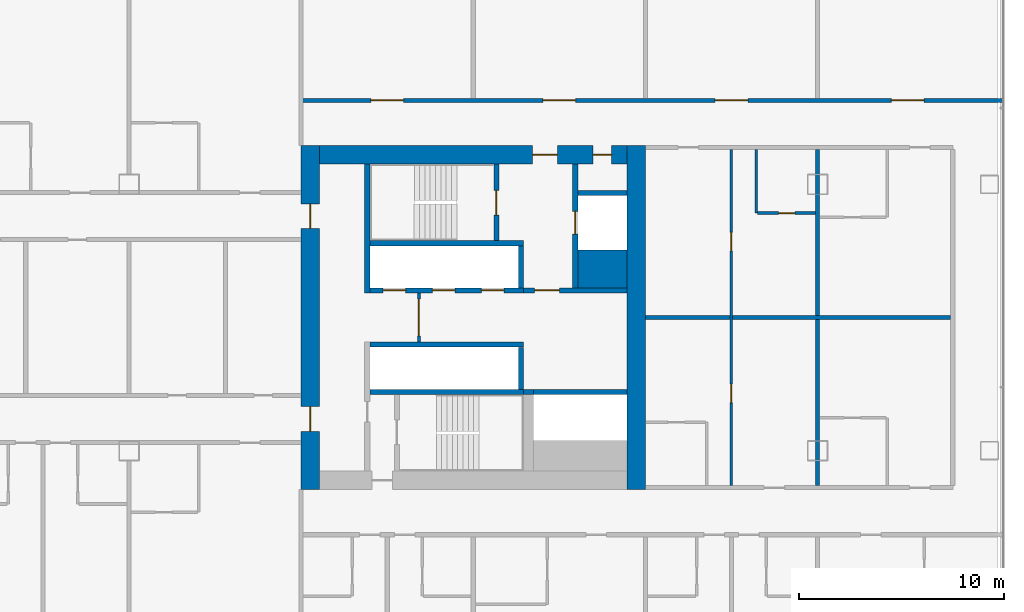
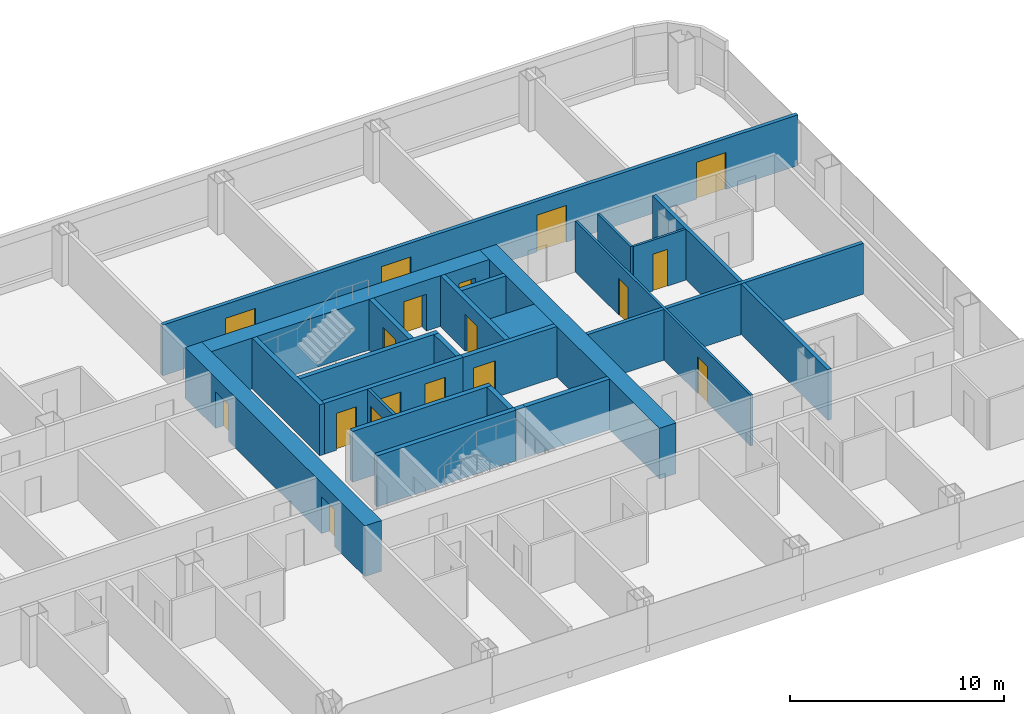
# One storey, part 19 of 29: 24 walls, 18 doors, 18 openings.
"""IFC4 building model written with IfcOpenShell, lengths in metres."""

from ifc_helpers import new_model, si_unit, direction, frame, frame_2d, origin, place, context, subcontext, project, spatial, rectangle, extrude, material, layer, layer_set, type_object, element, fill, save


model = new_model("IFC4")

# Units and contexts
model_context = context("Model", 3, precision=1e-05, world=origin(), true_north=direction((0.0, 1.0)))
body_context = subcontext(model_context, "Body", "Model", "MODEL_VIEW")
ifc_project = project(units=[si_unit("LENGTHUNIT", "METRE"), si_unit("AREAUNIT", "SQUARE_METRE"), si_unit("VOLUMEUNIT", "CUBIC_METRE"), si_unit("PLANEANGLEUNIT", "RADIAN"), si_unit("MASSUNIT", "GRAM", prefix="KILO")], contexts=[model_context])

# Site, building, storey
site_placement = place(None, origin())
site = spatial("IfcSite", under=ifc_project, at=site_placement, CompositionType="ELEMENT")
building_placement = place(site_placement, origin())
building = spatial("IfcBuilding", under=site, at=building_placement, Name="Hakoniwa Tower and Hamabe Station Hall", CompositionType="ELEMENT")
storey_placement = place(building_placement, frame((0.0, 0.0, 61.39990234375)))
storey = spatial("IfcBuildingStorey", under=building, at=storey_placement, Name="L17", CompositionType="ELEMENT", Elevation=61.39990234375)

# Wall, opening, door
ifc_material_1 = material(Name="Gypsum board partition", Category="gypsum")
ifc_layer_1 = layer(ifc_material_1, 0.125)
ifc_layer_set_1 = layer_set([ifc_layer_1], Name="Bathroom Partition 125")
wall_type_1 = type_object("IfcWallType", Name="Bathroom Partition 125", PredefinedType="PARTITIONING", material=ifc_layer_set_1)
wall_1_placement = place(storey_placement, frame((39.0625, 5.10009765625, 0.0), z_axis=(0.0, 0.0, 1.0), x_axis=(1.0, 0.0, 0.0)))
wall_1 = element("IfcWall", 1, at=wall_1_placement, inside=storey, type_object=wall_type_1, Name="GW-L17-034", PredefinedType="PARTITIONING", context=body_context, shape_type="SweptSolid", body=[
    extrude(rectangle(XDim=2.83740234375, YDim=0.125, at=frame_2d((1.418701171875, 0.0))), origin(), (0.0, 0.0, 1.0), 2.900146484375),
])
opening_1_placement = place(wall_1_placement, frame((1.03759765625, 0.0, 0.0)))
opening_1 = element("IfcOpeningElement", 2, at=opening_1_placement, cuts=wall_1, Name="Opening GD-G1D2-41", PredefinedType="OPENING", context=body_context, shape_type="SweptSolid", body=[
    extrude(rectangle(XDim=0.800048828125, YDim=2.10009765625, at=frame_2d((0.39990234375, 1.050048828125))), frame((0.0, 0.072509765625, 0.0), z_axis=(0.0, -1.0, 0.0), x_axis=(1.0, 0.0, 0.0)), (0.0, 0.0, 1.0), 0.14501953125),
])
ifc_material_2 = material(Name="Timber door leaf", Category="wood")
door_type_1 = type_object("IfcDoorType", Name="Bathroom Door 800", OperationType="SINGLE_SWING_LEFT", PredefinedType="DOOR", material=ifc_material_2)
door_1_placement = place(opening_1_placement, origin())
door_1 = element("IfcDoor", 3, at=door_1_placement, inside=storey, type_object=door_type_1, Name="Door GD-G1D2-41", OperationType="SINGLE_SWING_LEFT", OverallHeight=2.10009765625, OverallWidth=0.800048828125, PredefinedType="DOOR", context=body_context, shape_type="SweptSolid", body=[
    extrude(rectangle(XDim=0.800048828125, YDim=2.10009765625, at=frame_2d((0.39990234375, 1.050048828125))), frame((0.0, 0.02490234375, 0.0), z_axis=(0.0, -1.0, 0.0), x_axis=(1.0, 0.0, 0.0)), (0.0, 0.0, 1.0), 0.050048828125),
])
fill(opening_1, door_1)

# Wall
wall_2_placement = place(storey_placement, frame((39.0, 5.10009765625, 0.0), z_axis=(0.0, 0.0, 1.0), x_axis=(0.0, 1.0, 0.0)))
element("IfcWall", 4, at=wall_2_placement, inside=storey, type_object=wall_type_1, Name="GW-L17-110", PredefinedType="PARTITIONING", context=body_context, shape_type="SweptSolid", body=[
    extrude(rectangle(XDim=3.099853515625, YDim=0.125, at=frame_2d((1.5498046875, 0.0))), origin(), (0.0, 0.0, 1.0), 2.900146484375),
])

# Wall, opening, door
ifc_material_3 = material(Name="Gypsum board partition")
ifc_layer_2 = layer(ifc_material_3, 0.14990234375)
ifc_layer_set_2 = layer_set([ifc_layer_2], Name="CORE PARTITION 150 EI 60")
wall_type_2 = type_object("IfcWallType", Name="CORE PARTITION 150 EI 60", PredefinedType="PARTITIONING", material=ifc_layer_set_2)
wall_3_placement = place(storey_placement, frame((22.550048828125, -1.199951171875, 0.0), z_axis=(0.0, 0.0, 1.0), x_axis=(0.0, 1.0, 0.0)))
wall_3 = element("IfcWall", 5, at=wall_3_placement, inside=storey, type_object=wall_type_2, Name="Core partition PL0 east", PredefinedType="PARTITIONING", context=body_context, shape_type="SweptSolid", body=[
    extrude(rectangle(XDim=2.39990234375, YDim=0.14990234375, at=frame_2d((1.199951171875, 0.0))), origin(), (0.0, 0.0, 1.0), 2.900146484375),
])
opening_2_placement = place(wall_3_placement, frame((0.300048828125, 0.0, 0.0)))
opening_2 = element("IfcOpeningElement", 6, at=opening_2_placement, cuts=wall_3, Name="Opening CD-E-LP0-18", PredefinedType="OPENING", context=body_context, shape_type="SweptSolid", body=[
    extrude(rectangle(XDim=1.800048828125, YDim=2.10009765625, at=frame_2d((0.89990234375, 1.050048828125))), frame((0.0, 0.0849609375, 0.0), z_axis=(0.0, -1.0, 0.0), x_axis=(1.0, 0.0, 0.0)), (0.0, 0.0, 1.0), 0.169921875),
])
ifc_material_4 = material(Name="Steel fire door", Category="steel")
door_type_2 = type_object("IfcDoorType", Name="CORE DOOR 1800 FD60", OperationType="DOUBLE_DOOR_SINGLE_SWING", PredefinedType="DOOR", material=ifc_material_4)
door_2_placement = place(opening_2_placement, origin())
door_2 = element("IfcDoor", 7, at=door_2_placement, inside=storey, type_object=door_type_2, Name="Lift lobby partition door", OperationType="DOUBLE_DOOR_SINGLE_SWING", OverallHeight=2.10009765625, OverallWidth=1.800048828125, PredefinedType="DOOR", context=body_context, shape_type="SweptSolid", body=[
    extrude(rectangle(XDim=1.800048828125, YDim=2.10009765625, at=frame_2d((0.89990234375, 1.050048828125))), frame((0.0, 0.02490234375, 0.0), z_axis=(0.0, -1.0, 0.0), x_axis=(1.0, 0.0, 0.0)), (0.0, 0.0, 1.0), 0.050048828125),
])
fill(opening_2, door_2)

# Wall, openings, doors
ifc_material_5 = material(Name="Concrete C80", Category="concrete")
ifc_layer_3 = layer(ifc_material_5, 0.89990234375)
ifc_layer_set_3 = layer_set([ifc_layer_3], Name="CORE WALL 900 C80")
wall_type_3 = type_object("IfcWallType", Name="CORE WALL 900 C80", PredefinedType="SHEAR", material=ifc_layer_set_3)
wall_4_placement = place(storey_placement, frame((17.25, -8.39990234375, 0.0), z_axis=(0.0, 0.0, 1.0), x_axis=(0.0, 1.0, 0.0)))
wall_4 = element("IfcWall", 8, at=wall_4_placement, inside=storey, type_object=wall_type_3, Name="Core wall INNER east", PredefinedType="SHEAR", context=body_context, shape_type="SweptSolid", body=[
    extrude(rectangle(XDim=16.7998046875, YDim=0.89990234375, at=frame_2d((8.39990234375, 0.0))), origin(), (0.0, 0.0, 1.0), 2.900146484375),
])
opening_3_placement = place(wall_4_placement, frame((12.75, 0.0, 0.0)))
opening_3 = element("IfcOpeningElement", 9, at=opening_3_placement, cuts=wall_4, Name="Opening CD-E-IN1-12", PredefinedType="OPENING", context=body_context, shape_type="SweptSolid", body=[
    extrude(rectangle(XDim=1.199951171875, YDim=2.10009765625, at=frame_2d((0.60009765625, 1.050048828125))), frame((0.0, 0.4599609375, 0.0), z_axis=(0.0, -1.0, 0.0), x_axis=(1.0, 0.0, 0.0)), (0.0, 0.0, 1.0), 0.919921875),
])
opening_4_placement = place(wall_4_placement, frame((2.85009765625, 0.0, 0.0)))
opening_4 = element("IfcOpeningElement", 10, at=opening_4_placement, cuts=wall_4, Name="Opening CD-E-IN2-12", PredefinedType="OPENING", context=body_context, shape_type="SweptSolid", body=[
    extrude(rectangle(XDim=1.199951171875, YDim=2.10009765625, at=frame_2d((0.60009765625, 1.050048828125))), frame((0.0, 0.4599609375, 0.0), z_axis=(0.0, -1.0, 0.0), x_axis=(1.0, 0.0, 0.0)), (0.0, 0.0, 1.0), 0.919921875),
])
ifc_material_6 = material(Name="Steel fire door", Category="steel")
door_type_3 = type_object("IfcDoorType", Name="CORE DOOR 1200 FD60", OperationType="DOUBLE_DOOR_SINGLE_SWING", PredefinedType="DOOR", material=ifc_material_6)
door_3_placement = place(opening_3_placement, origin())
door_3 = element("IfcDoor", 11, at=door_3_placement, inside=storey, type_object=door_type_3, Name="Lift lobby door", OperationType="DOUBLE_DOOR_SINGLE_SWING", OverallHeight=2.10009765625, OverallWidth=1.199951171875, PredefinedType="DOOR", context=body_context, shape_type="SweptSolid", body=[
    extrude(rectangle(XDim=1.199951171875, YDim=2.10009765625, at=frame_2d((0.60009765625, 1.050048828125))), frame((0.0, 0.02490234375, 0.0), z_axis=(0.0, -1.0, 0.0), x_axis=(1.0, 0.0, 0.0)), (0.0, 0.0, 1.0), 0.050048828125),
])
fill(opening_3, door_3)
door_4_placement = place(opening_4_placement, origin())
door_4 = element("IfcDoor", 12, at=door_4_placement, inside=storey, type_object=door_type_3, Name="Lift lobby door", OperationType="DOUBLE_DOOR_SINGLE_SWING", OverallHeight=2.10009765625, OverallWidth=1.199951171875, PredefinedType="DOOR", context=body_context, shape_type="SweptSolid", body=[
    extrude(rectangle(XDim=1.199951171875, YDim=2.10009765625, at=frame_2d((0.60009765625, 1.050048828125))), frame((0.0, 0.02490234375, 0.0), z_axis=(0.0, -1.0, 0.0), x_axis=(1.0, 0.0, 0.0)), (0.0, 0.0, 1.0), 0.050048828125),
])
fill(opening_4, door_4)

# Wall
wall_5_placement = place(storey_placement, frame((33.14990234375, -8.39990234375, 0.0), z_axis=(0.0, 0.0, 1.0), x_axis=(0.0, 1.0, 0.0)))
element("IfcWall", 13, at=wall_5_placement, inside=storey, type_object=wall_type_3, Name="Core wall OUTER east", PredefinedType="SHEAR", context=body_context, shape_type="SweptSolid", body=[
    extrude(rectangle(XDim=16.7998046875, YDim=0.89990234375, at=frame_2d((8.39990234375, 0.0))), origin(), (0.0, 0.0, 1.0), 2.900146484375),
])

# Wall, openings, doors
wall_6_placement = place(storey_placement, frame((17.699951171875, 7.949951171875, 0.0), z_axis=(0.0, 0.0, 1.0), x_axis=(1.0, 0.0, 0.0)))
wall_6 = element("IfcWall", 14, at=wall_6_placement, inside=storey, type_object=wall_type_3, Name="Core wall NORTH east", PredefinedType="SHEAR", context=body_context, shape_type="SweptSolid", body=[
    extrude(rectangle(XDim=15.0, YDim=0.89990234375, at=frame_2d((7.5, 0.0))), origin(), (0.0, 0.0, 1.0), 2.900146484375),
])
opening_5_placement = place(wall_6_placement, frame((10.39990234375, 0.0, 0.0)))
opening_5 = element("IfcOpeningElement", 15, at=opening_5_placement, cuts=wall_6, Name="Opening CD-E-FN1-12", PredefinedType="OPENING", context=body_context, shape_type="SweptSolid", body=[
    extrude(rectangle(XDim=1.199951171875, YDim=2.10009765625, at=frame_2d((0.60009765625, 1.050048828125))), frame((0.0, 0.4599609375, 0.0), z_axis=(0.0, -1.0, 0.0), x_axis=(1.0, 0.0, 0.0)), (0.0, 0.0, 1.0), 0.919921875),
])
opening_6_placement = place(wall_6_placement, frame((13.35009765625, 0.0, 0.0)))
opening_6 = element("IfcOpeningElement", 16, at=opening_6_placement, cuts=wall_6, Name="Opening CD-E-FN2-9", PredefinedType="OPENING", context=body_context, shape_type="SweptSolid", body=[
    extrude(rectangle(XDim=0.89990234375, YDim=2.10009765625, at=frame_2d((0.449951171875, 1.050048828125))), frame((0.0, 0.4599609375, 0.0), z_axis=(0.0, -1.0, 0.0), x_axis=(1.0, 0.0, 0.0)), (0.0, 0.0, 1.0), 0.919921875),
])
door_5_placement = place(opening_5_placement, origin())
door_5 = element("IfcDoor", 17, at=door_5_placement, inside=storey, type_object=door_type_3, Name="Stair vestibule door to the fire-fighting lobby", OperationType="DOUBLE_DOOR_SINGLE_SWING", OverallHeight=2.10009765625, OverallWidth=1.199951171875, PredefinedType="DOOR", context=body_context, shape_type="SweptSolid", body=[
    extrude(rectangle(XDim=1.199951171875, YDim=2.10009765625, at=frame_2d((0.60009765625, 1.050048828125))), frame((0.0, 0.02490234375, 0.0), z_axis=(0.0, -1.0, 0.0), x_axis=(1.0, 0.0, 0.0)), (0.0, 0.0, 1.0), 0.050048828125),
])
fill(opening_5, door_5)
ifc_material_7 = material(Name="Steel fire door", Category="steel")
door_type_4 = type_object("IfcDoorType", Name="CORE DOOR 900 FD30", OperationType="NOTDEFINED", PredefinedType="DOOR", material=ifc_material_7)
door_6_placement = place(opening_6_placement, origin())
door_6 = element("IfcDoor", 18, at=door_6_placement, inside=storey, type_object=door_type_4, Name="Riser access door", OperationType="SINGLE_SWING_RIGHT", OverallHeight=2.10009765625, OverallWidth=0.89990234375, PredefinedType="DOOR", context=body_context, shape_type="SweptSolid", body=[
    extrude(rectangle(XDim=0.89990234375, YDim=2.10009765625, at=frame_2d((0.449951171875, 1.050048828125))), frame((0.0, 0.02490234375, 0.0), z_axis=(0.0, -1.0, 0.0), x_axis=(1.0, 0.0, 0.0)), (0.0, 0.0, 1.0), 0.050048828125),
])
fill(opening_6, door_6)

# Walls
ifc_material_8 = material(Name="Concrete C80", Category="concrete")
ifc_layer_4 = layer(ifc_material_8, 1.85009765625)
ifc_layer_set_4 = layer_set([ifc_layer_4], Name="CORE WEB WALL 1850 C80")
wall_type_4 = type_object("IfcWallType", Name="CORE WEB WALL 1850 C80", PredefinedType="SHEAR", material=ifc_layer_set_4)
wall_7_placement = place(storey_placement, frame((30.300048828125, 2.375, 0.0), z_axis=(0.0, 0.0, 1.0), x_axis=(1.0, 0.0, 0.0)))
element("IfcWall", 19, at=wall_7_placement, inside=storey, type_object=wall_type_4, Name="Core wall CA east", PredefinedType="SHEAR", context=body_context, shape_type="SweptSolid", body=[
    extrude(rectangle(XDim=2.39990234375, YDim=1.85009765625, at=frame_2d((1.199951171875, 0.0))), origin(), (0.0, 0.0, 1.0), 2.900146484375),
])
ifc_material_9 = material(Name="Concrete C80", Category="concrete")
ifc_layer_5 = layer(ifc_material_9, 0.25)
ifc_layer_set_5 = layer_set([ifc_layer_5], Name="CORE WEB WALL 250 C80")
wall_type_5 = type_object("IfcWallType", Name="CORE WEB WALL 250 C80", PredefinedType="SHEAR", material=ifc_layer_set_5)
wall_8_placement = place(storey_placement, frame((20.02490234375, 1.199951171875, 0.0), z_axis=(0.0, 0.0, 1.0), x_axis=(0.0, 1.0, 0.0)))
element("IfcWall", 20, at=wall_8_placement, inside=storey, type_object=wall_type_5, Name="Core wall W1N east", PredefinedType="SHEAR", context=body_context, shape_type="SweptSolid", body=[
    extrude(rectangle(XDim=6.300048828125, YDim=0.25, at=frame_2d((3.14990234375, 0.0))), origin(), (0.0, 0.0, 1.0), 2.900146484375),
])

# Wall, openings, doors
wall_9_placement = place(storey_placement, frame((20.14990234375, 1.324951171875, 0.0), z_axis=(0.0, 0.0, 1.0), x_axis=(1.0, 0.0, 0.0)))
wall_9 = element("IfcWall", 21, at=wall_9_placement, inside=storey, type_object=wall_type_5, Name="Core wall NF east", PredefinedType="SHEAR", context=body_context, shape_type="SweptSolid", body=[
    extrude(rectangle(XDim=7.5, YDim=0.25, at=frame_2d((3.75, 0.0))), origin(), (0.0, 0.0, 1.0), 2.900146484375),
])
opening_7_placement = place(wall_9_placement, frame((0.64990234375, 0.0, 0.0)))
opening_7 = element("IfcOpeningElement", 22, at=opening_7_placement, cuts=wall_9, Name="Opening LD-LR4", PredefinedType="OPENING", context=body_context, shape_type="SweptSolid", body=[
    extrude(rectangle(XDim=1.10009765625, YDim=2.10009765625, at=frame_2d((0.550048828125, 1.050048828125))), frame((0.0, 0.135009765625, 0.0), z_axis=(0.0, -1.0, 0.0), x_axis=(1.0, 0.0, 0.0)), (0.0, 0.0, 1.0), 0.27001953125),
])
opening_8_placement = place(wall_9_placement, frame((3.050048828125, 0.0, 0.0)))
opening_8 = element("IfcOpeningElement", 23, at=opening_8_placement, cuts=wall_9, Name="Opening LD-LR5", PredefinedType="OPENING", context=body_context, shape_type="SweptSolid", body=[
    extrude(rectangle(XDim=1.10009765625, YDim=2.10009765625, at=frame_2d((0.550048828125, 1.050048828125))), frame((0.0, 0.135009765625, 0.0), z_axis=(0.0, -1.0, 0.0), x_axis=(1.0, 0.0, 0.0)), (0.0, 0.0, 1.0), 0.27001953125),
])
opening_9_placement = place(wall_9_placement, frame((5.449951171875, 0.0, 0.0)))
opening_9 = element("IfcOpeningElement", 24, at=opening_9_placement, cuts=wall_9, Name="Opening LD-LR6", PredefinedType="OPENING", context=body_context, shape_type="SweptSolid", body=[
    extrude(rectangle(XDim=1.10009765625, YDim=2.10009765625, at=frame_2d((0.550048828125, 1.050048828125))), frame((0.0, 0.135009765625, 0.0), z_axis=(0.0, -1.0, 0.0), x_axis=(1.0, 0.0, 0.0)), (0.0, 0.0, 1.0), 0.27001953125),
])
ifc_material_10 = material(Name="Stainless steel SUS304", Category="steel")
door_type_5 = type_object("IfcDoorType", Name="LIFT LANDING DOOR 1100 FD60", OperationType="DOUBLE_DOOR_SLIDING", PredefinedType="DOOR", material=ifc_material_10)
door_7_placement = place(opening_7_placement, origin())
door_7 = element("IfcDoor", 25, at=door_7_placement, inside=storey, type_object=door_type_5, Name="Lift landing door LR4 L17", OperationType="DOUBLE_DOOR_SLIDING", OverallHeight=2.10009765625, OverallWidth=1.10009765625, PredefinedType="DOOR", context=body_context, shape_type="SweptSolid", body=[
    extrude(rectangle(XDim=1.10009765625, YDim=2.10009765625, at=frame_2d((0.550048828125, 1.050048828125))), frame((0.0, 0.02490234375, 0.0), z_axis=(0.0, -1.0, 0.0), x_axis=(1.0, 0.0, 0.0)), (0.0, 0.0, 1.0), 0.050048828125),
])
fill(opening_7, door_7)
door_8_placement = place(opening_8_placement, origin())
door_8 = element("IfcDoor", 26, at=door_8_placement, inside=storey, type_object=door_type_5, Name="Lift landing door LR5 L17", OperationType="DOUBLE_DOOR_SLIDING", OverallHeight=2.10009765625, OverallWidth=1.10009765625, PredefinedType="DOOR", context=body_context, shape_type="SweptSolid", body=[
    extrude(rectangle(XDim=1.10009765625, YDim=2.10009765625, at=frame_2d((0.550048828125, 1.050048828125))), frame((0.0, 0.02490234375, 0.0), z_axis=(0.0, -1.0, 0.0), x_axis=(1.0, 0.0, 0.0)), (0.0, 0.0, 1.0), 0.050048828125),
])
fill(opening_8, door_8)
door_9_placement = place(opening_9_placement, origin())
door_9 = element("IfcDoor", 27, at=door_9_placement, inside=storey, type_object=door_type_5, Name="Lift landing door LR6 L17", OperationType="DOUBLE_DOOR_SLIDING", OverallHeight=2.10009765625, OverallWidth=1.10009765625, PredefinedType="DOOR", context=body_context, shape_type="SweptSolid", body=[
    extrude(rectangle(XDim=1.10009765625, YDim=2.10009765625, at=frame_2d((0.550048828125, 1.050048828125))), frame((0.0, 0.02490234375, 0.0), z_axis=(0.0, -1.0, 0.0), x_axis=(1.0, 0.0, 0.0)), (0.0, 0.0, 1.0), 0.050048828125),
])
fill(opening_9, door_9)

# Walls
wall_10_placement = place(storey_placement, frame((27.52490234375, 1.449951171875, 0.0), z_axis=(0.0, 0.0, 1.0), x_axis=(0.0, 1.0, 0.0)))
element("IfcWall", 28, at=wall_10_placement, inside=storey, type_object=wall_type_5, Name="Core wall NE east", PredefinedType="SHEAR", context=body_context, shape_type="SweptSolid", body=[
    extrude(rectangle(XDim=2.050048828125, YDim=0.25, at=frame_2d((1.02490234375, 0.0))), origin(), (0.0, 0.0, 1.0), 2.900146484375),
])
wall_11_placement = place(storey_placement, frame((20.14990234375, 3.625, 0.0), z_axis=(0.0, 0.0, 1.0), x_axis=(1.0, 0.0, 0.0)))
element("IfcWall", 29, at=wall_11_placement, inside=storey, type_object=wall_type_5, Name="Core wall NR east", PredefinedType="SHEAR", context=body_context, shape_type="SweptSolid", body=[
    extrude(rectangle(XDim=7.5, YDim=0.25, at=frame_2d((3.75, 0.0))), origin(), (0.0, 0.0, 1.0), 2.900146484375),
])

# Wall, opening, door
wall_12_placement = place(storey_placement, frame((26.324951171875, 3.75, 0.0), z_axis=(0.0, 0.0, 1.0), x_axis=(0.0, 1.0, 0.0)))
wall_12 = element("IfcWall", 30, at=wall_12_placement, inside=storey, type_object=wall_type_5, Name="Core wall NSE east", PredefinedType="SHEAR", context=body_context, shape_type="SweptSolid", body=[
    extrude(rectangle(XDim=3.75, YDim=0.25, at=frame_2d((1.875, 0.0))), origin(), (0.0, 0.0, 1.0), 2.900146484375),
])
opening_10_placement = place(wall_12_placement, frame((1.25, 0.0, 0.0)))
opening_10 = element("IfcOpeningElement", 31, at=opening_10_placement, cuts=wall_12, Name="Opening CD-E-SN-12", PredefinedType="OPENING", context=body_context, shape_type="SweptSolid", body=[
    extrude(rectangle(XDim=1.199951171875, YDim=2.10009765625, at=frame_2d((0.60009765625, 1.050048828125))), frame((0.0, 0.135009765625, 0.0), z_axis=(0.0, -1.0, 0.0), x_axis=(1.0, 0.0, 0.0)), (0.0, 0.0, 1.0), 0.27001953125),
])
door_10_placement = place(opening_10_placement, origin())
door_10 = element("IfcDoor", 32, at=door_10_placement, inside=storey, type_object=door_type_3, Name="Escape stair door", OperationType="DOUBLE_DOOR_SINGLE_SWING", OverallHeight=2.10009765625, OverallWidth=1.199951171875, PredefinedType="DOOR", context=body_context, shape_type="SweptSolid", body=[
    extrude(rectangle(XDim=1.199951171875, YDim=2.10009765625, at=frame_2d((0.60009765625, 1.050048828125))), frame((0.0, 0.02490234375, 0.0), z_axis=(0.0, -1.0, 0.0), x_axis=(1.0, 0.0, 0.0)), (0.0, 0.0, 1.0), 0.050048828125),
])
fill(opening_10, door_10)

wall_13_placement = place(storey_placement, frame((27.64990234375, 1.324951171875, 0.0), z_axis=(0.0, 0.0, 1.0), x_axis=(1.0, 0.0, 0.0)))
wall_13 = element("IfcWall", 33, at=wall_13_placement, inside=storey, type_object=wall_type_5, Name="Core wall ELN east", PredefinedType="SHEAR", context=body_context, shape_type="SweptSolid", body=[
    extrude(rectangle(XDim=5.050048828125, YDim=0.25, at=frame_2d((2.52490234375, 0.0))), origin(), (0.0, 0.0, 1.0), 2.900146484375),
])
opening_11_placement = place(wall_13_placement, frame((0.550048828125, 0.0, 0.0)))
opening_11 = element("IfcOpeningElement", 34, at=opening_11_placement, cuts=wall_13, Name="Opening CD-E-FL-12", PredefinedType="OPENING", context=body_context, shape_type="SweptSolid", body=[
    extrude(rectangle(XDim=1.199951171875, YDim=2.10009765625, at=frame_2d((0.60009765625, 1.050048828125))), frame((0.0, 0.135009765625, 0.0), z_axis=(0.0, -1.0, 0.0), x_axis=(1.0, 0.0, 0.0)), (0.0, 0.0, 1.0), 0.27001953125),
])
door_11_placement = place(opening_11_placement, origin())
door_11 = element("IfcDoor", 35, at=door_11_placement, inside=storey, type_object=door_type_3, Name="Stair vestibule door to the fire-fighting lobby", OperationType="DOUBLE_DOOR_SINGLE_SWING", OverallHeight=2.10009765625, OverallWidth=1.199951171875, PredefinedType="DOOR", context=body_context, shape_type="SweptSolid", body=[
    extrude(rectangle(XDim=1.199951171875, YDim=2.10009765625, at=frame_2d((0.60009765625, 1.050048828125))), frame((0.0, 0.02490234375, 0.0), z_axis=(0.0, -1.0, 0.0), x_axis=(1.0, 0.0, 0.0)), (0.0, 0.0, 1.0), 0.050048828125),
])
fill(opening_11, door_11)

wall_14_placement = place(storey_placement, frame((30.175048828125, 1.449951171875, 0.0), z_axis=(0.0, 0.0, 1.0), x_axis=(0.0, 1.0, 0.0)))
wall_14 = element("IfcWall", 36, at=wall_14_placement, inside=storey, type_object=wall_type_5, Name="Core wall FFF east", PredefinedType="SHEAR", context=body_context, shape_type="SweptSolid", body=[
    extrude(rectangle(XDim=6.050048828125, YDim=0.25, at=frame_2d((3.02490234375, 0.0))), origin(), (0.0, 0.0, 1.0), 2.900146484375),
])
opening_12_placement = place(wall_14_placement, frame((2.625, 0.0, 0.0)))
opening_12 = element("IfcOpeningElement", 37, at=opening_12_placement, cuts=wall_14, Name="Opening LD-FF2", PredefinedType="OPENING", context=body_context, shape_type="SweptSolid", body=[
    extrude(rectangle(XDim=1.10009765625, YDim=2.10009765625, at=frame_2d((0.550048828125, 1.050048828125))), frame((0.0, 0.135009765625, 0.0), z_axis=(0.0, -1.0, 0.0), x_axis=(1.0, 0.0, 0.0)), (0.0, 0.0, 1.0), 0.27001953125),
])
door_12_placement = place(opening_12_placement, origin())
door_12 = element("IfcDoor", 38, at=door_12_placement, inside=storey, type_object=door_type_5, Name="Lift landing door FF2 L17", OperationType="DOUBLE_DOOR_SLIDING", OverallHeight=2.10009765625, OverallWidth=1.10009765625, PredefinedType="DOOR", context=body_context, shape_type="SweptSolid", body=[
    extrude(rectangle(XDim=1.10009765625, YDim=2.10009765625, at=frame_2d((0.550048828125, 1.050048828125))), frame((0.0, 0.02490234375, 0.0), z_axis=(0.0, -1.0, 0.0), x_axis=(1.0, 0.0, 0.0)), (0.0, 0.0, 1.0), 0.050048828125),
])
fill(opening_12, door_12)

# Walls
wall_15_placement = place(storey_placement, frame((30.300048828125, 6.074951171875, 0.0), z_axis=(0.0, 0.0, 1.0), x_axis=(1.0, 0.0, 0.0)))
element("IfcWall", 39, at=wall_15_placement, inside=storey, type_object=wall_type_5, Name="Core wall C2 east", PredefinedType="SHEAR", context=body_context, shape_type="SweptSolid", body=[
    extrude(rectangle(XDim=2.39990234375, YDim=0.25, at=frame_2d((1.199951171875, 0.0))), origin(), (0.0, 0.0, 1.0), 2.900146484375),
])
wall_16_placement = place(storey_placement, frame((20.14990234375, -1.324951171875, 0.0), z_axis=(0.0, 0.0, 1.0), x_axis=(1.0, 0.0, 0.0)))
element("IfcWall", 40, at=wall_16_placement, inside=storey, type_object=wall_type_5, Name="Core wall SF east", PredefinedType="SHEAR", context=body_context, shape_type="SweptSolid", body=[
    extrude(rectangle(XDim=7.5, YDim=0.25, at=frame_2d((3.75, 0.0))), origin(), (0.0, 0.0, 1.0), 2.900146484375),
])
wall_17_placement = place(storey_placement, frame((27.52490234375, -3.5, 0.0), z_axis=(0.0, 0.0, 1.0), x_axis=(0.0, 1.0, 0.0)))
element("IfcWall", 41, at=wall_17_placement, inside=storey, type_object=wall_type_5, Name="Core wall SE east", PredefinedType="SHEAR", context=body_context, shape_type="SweptSolid", body=[
    extrude(rectangle(XDim=2.050048828125, YDim=0.25, at=frame_2d((1.02490234375, 0.0))), origin(), (0.0, 0.0, 1.0), 2.900146484375),
])
wall_18_placement = place(storey_placement, frame((20.14990234375, -3.625, 0.0), z_axis=(0.0, 0.0, 1.0), x_axis=(1.0, 0.0, 0.0)))
element("IfcWall", 42, at=wall_18_placement, inside=storey, type_object=wall_type_5, Name="Core wall SR east", PredefinedType="SHEAR", context=body_context, shape_type="SweptSolid", body=[
    extrude(rectangle(XDim=7.5, YDim=0.25, at=frame_2d((3.75, 0.0))), origin(), (0.0, 0.0, 1.0), 2.900146484375),
])
wall_19_placement = place(storey_placement, frame((28.14990234375, -3.625, 0.0), z_axis=(0.0, 0.0, 1.0), x_axis=(1.0, 0.0, 0.0)))
element("IfcWall", 43, at=wall_19_placement, inside=storey, type_object=wall_type_5, Name="Core wall SEF east", PredefinedType="SHEAR", context=body_context, shape_type="SweptSolid", body=[
    extrude(rectangle(XDim=4.550048828125, YDim=0.25, at=frame_2d((2.27490234375, 0.0))), origin(), (0.0, 0.0, 1.0), 2.900146484375),
])
wall_20_placement = place(storey_placement, frame((27.64990234375, -3.625, 0.0), z_axis=(0.0, 0.0, 1.0), x_axis=(1.0, 0.0, 0.0)))
element("IfcWall", 44, at=wall_20_placement, inside=storey, type_object=wall_type_5, Name="Core wall SRK east", PredefinedType="SHEAR", context=body_context, shape_type="SweptSolid", body=[
    extrude(rectangle(XDim=0.5, YDim=0.25, at=frame_2d((0.25, 0.0))), origin(), (0.0, 0.0, 1.0), 2.900146484375),
])

# Wall, openings, doors
ifc_material_11 = material(Name="Fire-rated gypsum board partition", Category="gypsum")
ifc_layer_6 = layer(ifc_material_11, 0.199951171875)
ifc_layer_set_6 = layer_set([ifc_layer_6], Name="Corridor Wall 200")
wall_type_6 = type_object("IfcWallType", Name="Corridor Wall 200", PredefinedType="PARTITIONING", material=ifc_layer_set_6)
wall_21_placement = place(storey_placement, frame((16.800048828125, 10.60009765625, 0.0), z_axis=(0.0, 0.0, 1.0), x_axis=(1.0, 0.0, 0.0)))
wall_21 = element("IfcWall", 45, at=wall_21_placement, inside=storey, type_object=wall_type_6, Name="GW-L17-043", PredefinedType="PARTITIONING", context=body_context, shape_type="SweptSolid", body=[
    extrude(rectangle(XDim=34.300048828125, YDim=0.199951171875, at=frame_2d((17.14990234375, 0.0))), origin(), (0.0, 0.0, 1.0), 2.900146484375),
])
opening_13_placement = place(wall_21_placement, frame((3.39990234375, 0.0, 0.0)))
opening_13 = element("IfcOpeningElement", 46, at=opening_13_placement, cuts=wall_21, Name="Opening GD-G1D2-59", PredefinedType="OPENING", context=body_context, shape_type="SweptSolid", body=[
    extrude(rectangle(XDim=1.60009765625, YDim=2.10009765625, at=frame_2d((0.800048828125, 1.050048828125))), frame((0.0, 0.10986328125, 0.0), z_axis=(0.0, -1.0, 0.0), x_axis=(1.0, 0.0, 0.0)), (0.0, 0.0, 1.0), 0.219970703125),
])
opening_14_placement = place(wall_21_placement, frame((11.800048828125, 0.0, 0.0)))
opening_14 = element("IfcOpeningElement", 47, at=opening_14_placement, cuts=wall_21, Name="Opening GD-G1D2-60", PredefinedType="OPENING", context=body_context, shape_type="SweptSolid", body=[
    extrude(rectangle(XDim=1.60009765625, YDim=2.10009765625, at=frame_2d((0.800048828125, 1.050048828125))), frame((0.0, 0.10986328125, 0.0), z_axis=(0.0, -1.0, 0.0), x_axis=(1.0, 0.0, 0.0)), (0.0, 0.0, 1.0), 0.219970703125),
])
opening_15_placement = place(wall_21_placement, frame((20.199951171875, 0.0, 0.0)))
opening_15 = element("IfcOpeningElement", 48, at=opening_15_placement, cuts=wall_21, Name="Opening GD-G1D2-61", PredefinedType="OPENING", context=body_context, shape_type="SweptSolid", body=[
    extrude(rectangle(XDim=1.60009765625, YDim=2.10009765625, at=frame_2d((0.800048828125, 1.050048828125))), frame((0.0, 0.10986328125, 0.0), z_axis=(0.0, -1.0, 0.0), x_axis=(1.0, 0.0, 0.0)), (0.0, 0.0, 1.0), 0.219970703125),
])
opening_16_placement = place(wall_21_placement, frame((28.800048828125, 0.0, 0.0)))
opening_16 = element("IfcOpeningElement", 49, at=opening_16_placement, cuts=wall_21, Name="Opening GD-G1D2-62", PredefinedType="OPENING", context=body_context, shape_type="SweptSolid", body=[
    extrude(rectangle(XDim=1.60009765625, YDim=2.10009765625, at=frame_2d((0.800048828125, 1.050048828125))), frame((0.0, 0.10986328125, 0.0), z_axis=(0.0, -1.0, 0.0), x_axis=(1.0, 0.0, 0.0)), (0.0, 0.0, 1.0), 0.219970703125),
])
ifc_material_12 = material(Name="Timber door leaf", Category="wood")
door_type_6 = type_object("IfcDoorType", Name="Double Door 1600", OperationType="DOUBLE_DOOR_SINGLE_SWING", PredefinedType="DOOR", material=ifc_material_12)
door_13_placement = place(opening_13_placement, origin())
door_13 = element("IfcDoor", 50, at=door_13_placement, inside=storey, type_object=door_type_6, Name="Door GD-G1D2-59", OperationType="DOUBLE_DOOR_SINGLE_SWING", OverallHeight=2.10009765625, OverallWidth=1.60009765625, PredefinedType="DOOR", context=body_context, shape_type="SweptSolid", body=[
    extrude(rectangle(XDim=1.60009765625, YDim=2.10009765625, at=frame_2d((0.800048828125, 1.050048828125))), frame((0.0, 0.02490234375, 0.0), z_axis=(0.0, -1.0, 0.0), x_axis=(1.0, 0.0, 0.0)), (0.0, 0.0, 1.0), 0.050048828125),
])
fill(opening_13, door_13)
door_14_placement = place(opening_14_placement, origin())
door_14 = element("IfcDoor", 51, at=door_14_placement, inside=storey, type_object=door_type_6, Name="Door GD-G1D2-60", OperationType="DOUBLE_DOOR_SINGLE_SWING", OverallHeight=2.10009765625, OverallWidth=1.60009765625, PredefinedType="DOOR", context=body_context, shape_type="SweptSolid", body=[
    extrude(rectangle(XDim=1.60009765625, YDim=2.10009765625, at=frame_2d((0.800048828125, 1.050048828125))), frame((0.0, 0.02490234375, 0.0), z_axis=(0.0, -1.0, 0.0), x_axis=(1.0, 0.0, 0.0)), (0.0, 0.0, 1.0), 0.050048828125),
])
fill(opening_14, door_14)
door_15_placement = place(opening_15_placement, origin())
door_15 = element("IfcDoor", 52, at=door_15_placement, inside=storey, type_object=door_type_6, Name="Door GD-G1D2-61", OperationType="DOUBLE_DOOR_SINGLE_SWING", OverallHeight=2.10009765625, OverallWidth=1.60009765625, PredefinedType="DOOR", context=body_context, shape_type="SweptSolid", body=[
    extrude(rectangle(XDim=1.60009765625, YDim=2.10009765625, at=frame_2d((0.800048828125, 1.050048828125))), frame((0.0, 0.02490234375, 0.0), z_axis=(0.0, -1.0, 0.0), x_axis=(1.0, 0.0, 0.0)), (0.0, 0.0, 1.0), 0.050048828125),
])
fill(opening_15, door_15)
door_16_placement = place(opening_16_placement, origin())
door_16 = element("IfcDoor", 53, at=door_16_placement, inside=storey, type_object=door_type_6, Name="Door GD-G1D2-62", OperationType="DOUBLE_DOOR_SINGLE_SWING", OverallHeight=2.10009765625, OverallWidth=1.60009765625, PredefinedType="DOOR", context=body_context, shape_type="SweptSolid", body=[
    extrude(rectangle(XDim=1.60009765625, YDim=2.10009765625, at=frame_2d((0.800048828125, 1.050048828125))), frame((0.0, 0.02490234375, 0.0), z_axis=(0.0, -1.0, 0.0), x_axis=(1.0, 0.0, 0.0)), (0.0, 0.0, 1.0), 0.050048828125),
])
fill(opening_16, door_16)

# Walls
ifc_material_13 = material(Name="Fire-rated gypsum board partition", Category="gypsum")
ifc_layer_7 = layer(ifc_material_13, 0.199951171875)
ifc_layer_set_7 = layer_set([ifc_layer_7], Name="Party Wall 200")
wall_type_7 = type_object("IfcWallType", Name="Party Wall 200", PredefinedType="PARTITIONING", material=ifc_layer_set_7)
wall_22_placement = place(storey_placement, frame((33.60009765625, 0.0, 0.0), z_axis=(0.0, 0.0, 1.0), x_axis=(1.0, 0.0, 0.0)))
element("IfcWall", 54, at=wall_22_placement, inside=storey, type_object=wall_type_7, Name="GW-L17-029", PredefinedType="PARTITIONING", context=body_context, shape_type="SweptSolid", body=[
    extrude(rectangle(XDim=14.89990234375, YDim=0.199951171875, at=frame_2d((7.449951171875, 0.0))), origin(), (0.0, 0.0, 1.0), 2.900146484375),
])
wall_23_placement = place(storey_placement, frame((42.0, -8.199951171875, 0.0), z_axis=(0.0, 0.0, 1.0), x_axis=(0.0, 1.0, 0.0)))
element("IfcWall", 55, at=wall_23_placement, inside=storey, type_object=wall_type_7, Name="GW-L17-113", PredefinedType="PARTITIONING", context=body_context, shape_type="SweptSolid", body=[
    extrude(rectangle(XDim=16.39990234375, YDim=0.199951171875, at=frame_2d((8.199951171875, 0.0))), origin(), (0.0, 0.0, 1.0), 2.900146484375),
])

# Wall, openings, doors
ifc_material_14 = material(Name="Gypsum board partition", Category="gypsum")
ifc_layer_8 = layer(ifc_material_14, 0.125)
ifc_layer_set_8 = layer_set([ifc_layer_8], Name="Room Partition 125")
wall_type_8 = type_object("IfcWallType", Name="Room Partition 125", PredefinedType="PARTITIONING", material=ifc_layer_set_8)
wall_24_placement = place(storey_placement, frame((37.800048828125, -8.199951171875, 0.0), z_axis=(0.0, 0.0, 1.0), x_axis=(0.0, 1.0, 0.0)))
wall_24 = element("IfcWall", 56, at=wall_24_placement, inside=storey, type_object=wall_type_8, Name="GW-L17-109", PredefinedType="PARTITIONING", context=body_context, shape_type="SweptSolid", body=[
    extrude(rectangle(XDim=16.39990234375, YDim=0.125, at=frame_2d((8.199951171875, 0.0))), origin(), (0.0, 0.0, 1.0), 2.900146484375),
])
opening_17_placement = place(wall_24_placement, frame((4.050048828125, 0.0, 0.0)))
opening_17 = element("IfcOpeningElement", 57, at=opening_17_placement, cuts=wall_24, Name="Opening GD-G1D2-80", PredefinedType="OPENING", context=body_context, shape_type="SweptSolid", body=[
    extrude(rectangle(XDim=0.89990234375, YDim=2.10009765625, at=frame_2d((0.449951171875, 1.050048828125))), frame((0.0, 0.072509765625, 0.0), z_axis=(0.0, -1.0, 0.0), x_axis=(1.0, 0.0, 0.0)), (0.0, 0.0, 1.0), 0.14501953125),
])
opening_18_placement = place(wall_24_placement, frame((11.449951171875, 0.0, 0.0)))
opening_18 = element("IfcOpeningElement", 58, at=opening_18_placement, cuts=wall_24, Name="Opening GD-G1D2-81", PredefinedType="OPENING", context=body_context, shape_type="SweptSolid", body=[
    extrude(rectangle(XDim=0.89990234375, YDim=2.10009765625, at=frame_2d((0.449951171875, 1.050048828125))), frame((0.0, 0.072509765625, 0.0), z_axis=(0.0, -1.0, 0.0), x_axis=(1.0, 0.0, 0.0)), (0.0, 0.0, 1.0), 0.14501953125),
])
ifc_material_15 = material(Name="Timber door leaf", Category="wood")
door_type_7 = type_object("IfcDoorType", Name="Suite Interior Door 900", OperationType="SINGLE_SWING_LEFT", PredefinedType="DOOR", material=ifc_material_15)
door_17_placement = place(opening_17_placement, origin())
door_17 = element("IfcDoor", 59, at=door_17_placement, inside=storey, type_object=door_type_7, Name="Door GD-G1D2-80", OperationType="SINGLE_SWING_RIGHT", OverallHeight=2.10009765625, OverallWidth=0.89990234375, PredefinedType="DOOR", context=body_context, shape_type="SweptSolid", body=[
    extrude(rectangle(XDim=0.89990234375, YDim=2.10009765625, at=frame_2d((0.449951171875, 1.050048828125))), frame((0.0, 0.02490234375, 0.0), z_axis=(0.0, -1.0, 0.0), x_axis=(1.0, 0.0, 0.0)), (0.0, 0.0, 1.0), 0.050048828125),
])
fill(opening_17, door_17)
door_18_placement = place(opening_18_placement, origin())
door_18 = element("IfcDoor", 60, at=door_18_placement, inside=storey, type_object=door_type_7, Name="Door GD-G1D2-81", OperationType="SINGLE_SWING_RIGHT", OverallHeight=2.10009765625, OverallWidth=0.89990234375, PredefinedType="DOOR", context=body_context, shape_type="SweptSolid", body=[
    extrude(rectangle(XDim=0.89990234375, YDim=2.10009765625, at=frame_2d((0.449951171875, 1.050048828125))), frame((0.0, 0.02490234375, 0.0), z_axis=(0.0, -1.0, 0.0), x_axis=(1.0, 0.0, 0.0)), (0.0, 0.0, 1.0), 0.050048828125),
])
fill(opening_18, door_18)

save(model, "model.ifc")
